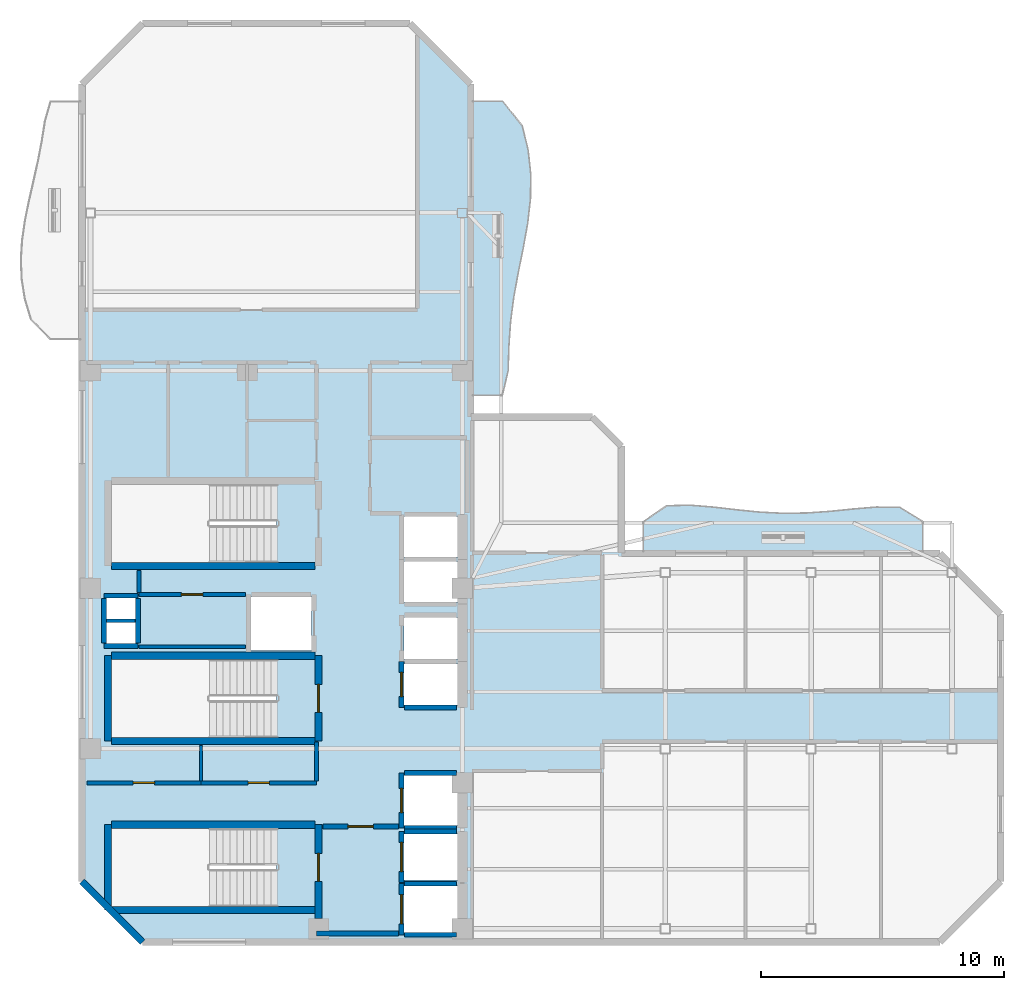
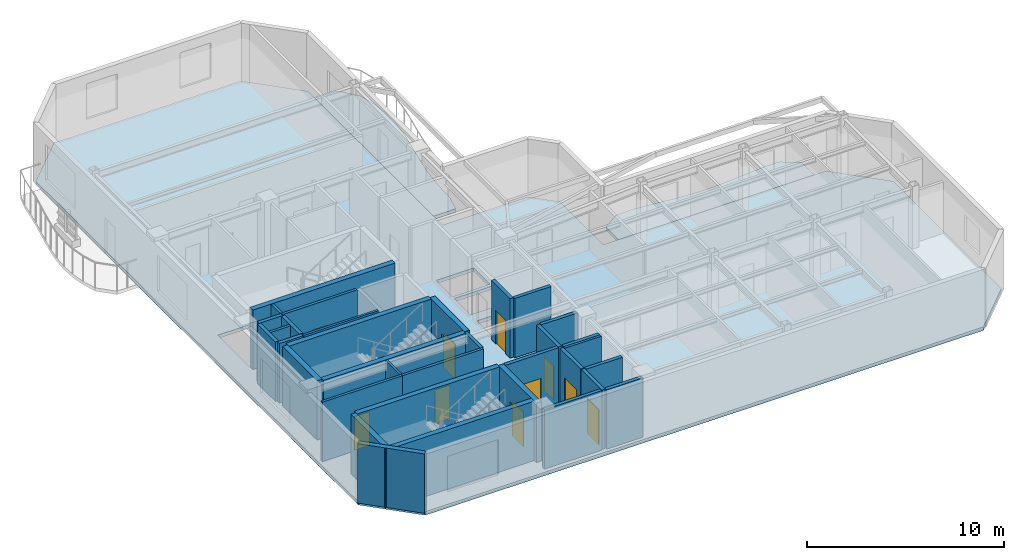
# One storey, part 2 of 7: 34 walls, 10 doors, 3 slabs, 10 openings.
"""IFC4 building model written with IfcOpenShell, lengths in metres."""

from ifc_helpers import new_model, si_unit, direction, frame, frame_2d, origin, place, context, subcontext, project, spatial, polyline, rectangle, outline, extrude, material, layer, layer_set, type_object, element, fill, save


model = new_model("IFC4")

# Units and contexts
model_context = context("Model", 3, precision=1e-05, world=origin(), true_north=direction((0.0, 1.0)))
body_context = subcontext(model_context, "Body", "Model", "MODEL_VIEW")
ifc_project = project(units=[si_unit("LENGTHUNIT", "METRE"), si_unit("AREAUNIT", "SQUARE_METRE"), si_unit("VOLUMEUNIT", "CUBIC_METRE"), si_unit("PLANEANGLEUNIT", "RADIAN"), si_unit("MASSUNIT", "GRAM", prefix="KILO")], contexts=[model_context])

# Site, building, storey
site_placement = place(None, origin())
site = spatial("IfcSite", under=ifc_project, at=site_placement, CompositionType="ELEMENT")
building_placement = place(site_placement, origin())
building = spatial("IfcBuilding", under=site, at=building_placement, Name="Mawjaban Terraces University", CompositionType="ELEMENT")
storey_placement = place(building_placement, frame((0.0, 0.0, 291.10009765625)))
storey = spatial("IfcBuildingStorey", under=building, at=storey_placement, Name="L71", CompositionType="ELEMENT", Elevation=291.10009765625)

# Slabs
ifc_material_1 = material(Name="Concrete C40/50", Category="concrete")
ifc_layer_1 = layer(ifc_material_1, 0.2099609375)
ifc_layer_set_1 = layer_set([ifc_layer_1], Name="Concrete C40/50")
slab_type_1 = type_object("IfcSlabType", Name="BalconySlab_210_Ext", PredefinedType="FLOOR", material=ifc_layer_set_1)
slab_1_placement = place(storey_placement, frame((0.0, 0.0, -0.210205078125)))
element("IfcSlab", 1, at=slab_1_placement, inside=storey, type_object=slab_type_1, Name="L71 Planted Balcony Slab inner_north", PredefinedType="FLOOR", context=body_context, shape_type="SweptSolid", body=[
    extrude(outline(polyline([(45.10009765625, 15.989990234375), (56.60009765625, 15.989990234375), (56.60009765625, 17.300048828125), (55.64208984375, 17.89208984375), (54.68310546875, 17.89697265625), (53.72509765625, 17.81689453125), (52.76708984375, 17.719970703125), (51.80810546875, 17.653076171875), (50.85009765625, 17.639892578125), (49.89208984375, 17.68896484375), (48.93310546875, 17.784912109375), (47.97509765625, 17.89599609375), (47.01708984375, 17.97509765625), (46.05810546875, 17.950927734375), (45.10009765625, 17.300048828125), (45.10009765625, 15.989990234375)])), origin(), (0.0, 0.0, 1.0), 0.210205078125),
])
slab_2_placement = place(storey_placement, frame((0.0, 0.0, -0.210205078125)))
element("IfcSlab", 2, at=slab_2_placement, inside=storey, type_object=slab_type_1, Name="L71 Planted Balcony Slab inner_east", PredefinedType="FLOOR", context=body_context, shape_type="SweptSolid", body=[
    extrude(outline(polyline([(39.300048828125, 22.5), (39.533935546875, 23.508056640625), (39.56494140625, 24.51708984375), (39.635009765625, 25.52490234375), (39.76611328125, 26.532958984375), (39.949951171875, 27.5419921875), (40.154052734375, 28.550048828125), (40.3359375, 29.55810546875), (40.451904296875, 30.56689453125), (40.467041015625, 31.574951171875), (40.35888671875, 32.5830078125), (40.113037109375, 33.592041015625), (39.300048828125, 34.60009765625), (37.989990234375, 34.60009765625), (37.989990234375, 22.5), (39.300048828125, 22.5)])), origin(), (0.0, 0.0, 1.0), 0.210205078125),
])
ifc_layer_2 = layer(ifc_material_1, 0.2099609375)
ifc_layer_set_2 = layer_set([ifc_layer_2], Name="Concrete C40/50")
slab_type_2 = type_object("IfcSlabType", Name="CompositeSlab_210", PredefinedType="FLOOR", material=ifc_layer_set_2)
slab_3_placement = place(storey_placement, frame((0.0, 0.0, -0.210205078125)))
element("IfcSlab", 3, at=slab_3_placement, inside=storey, type_object=slab_type_2, Name="L71 Primary Structural Slab", PredefinedType="FLOOR", context=body_context, shape_type="SweptSolid", body=[
    extrude(outline(polyline([(24.5, 0.0), (57.300048828125, 0.0), (59.800048828125, 2.5), (59.800048828125, 13.5), (57.300048828125, 16.0), (44.199951171875, 16.0), (44.199951171875, 20.39990234375), (43.0, 21.60009765625), (38.0, 21.60009765625), (38.0, 35.300048828125), (35.5, 37.800048828125), (24.5, 37.800048828125), (22.0, 35.300048828125), (22.0, 2.5), (24.5, 0.0)]), holes=[polyline([(30.014892578125, 4.699951171875), (23.199951171875, 4.699951171875), (23.199951171875, 1.449951171875), (30.014892578125, 1.449951171875), (30.014892578125, 4.699951171875)]), polyline([(30.014892578125, 18.85009765625), (23.199951171875, 18.85009765625), (23.199951171875, 15.60009765625), (30.014892578125, 15.60009765625), (30.014892578125, 18.85009765625)]), polyline([(30.014892578125, 11.64990234375), (23.199951171875, 11.64990234375), (23.199951171875, 8.39990234375), (30.014892578125, 8.39990234375), (30.014892578125, 11.64990234375)]), polyline([(35.25, 0.39990234375), (37.449951171875, 0.39990234375), (37.449951171875, 2.300048828125), (35.25, 2.300048828125), (35.25, 0.39990234375)]), polyline([(35.25, 2.550048828125), (37.449951171875, 2.550048828125), (37.449951171875, 4.449951171875), (35.25, 4.449951171875), (35.25, 2.550048828125)]), polyline([(35.25, 4.800048828125), (37.449951171875, 4.800048828125), (37.449951171875, 6.85009765625), (35.25, 6.85009765625), (35.25, 4.800048828125)]), polyline([(35.25, 9.75), (37.449951171875, 9.75), (37.449951171875, 11.449951171875), (35.25, 11.449951171875), (35.25, 9.75)]), polyline([(35.25, 11.64990234375), (37.449951171875, 11.64990234375), (37.449951171875, 13.35009765625), (35.25, 13.35009765625), (35.25, 11.64990234375)]), polyline([(28.949951171875, 12.0), (31.449951171875, 12.0), (31.449951171875, 14.199951171875), (28.949951171875, 14.199951171875), (28.949951171875, 12.0)]), polyline([(35.25, 14.0), (37.449951171875, 14.0), (37.449951171875, 15.64990234375), (35.25, 15.64990234375), (35.25, 14.0)]), polyline([(35.25, 15.85009765625), (37.449951171875, 15.85009765625), (37.449951171875, 17.5), (35.25, 17.5), (35.25, 15.85009765625)]), polyline([(23.0, 12.25), (24.199951171875, 12.25), (24.199951171875, 13.14990234375), (23.0, 13.14990234375), (23.0, 12.25)]), polyline([(23.0, 13.300048828125), (24.199951171875, 13.300048828125), (24.199951171875, 14.179931640625), (23.0, 14.179931640625), (23.0, 13.300048828125)])]), origin(), (0.0, 0.0, 1.0), 0.210205078125),
])

# Wall, opening, door
ifc_material_2 = material(Name="Fire-rated gypsum board on steel stud", Category="steel")
ifc_layer_3 = layer(ifc_material_2, 0.159912109375)
ifc_layer_set_3 = layer_set([ifc_layer_3], Name="Fire-rated gypsum board on steel stud")
wall_type_1 = type_object("IfcWallType", Name="CorridorPartition_160", PredefinedType="PARTITIONING", material=ifc_layer_set_3)
wall_1_placement = place(storey_placement, frame((24.35009765625, 14.300048828125, 0.0), z_axis=(0.0, 0.0, 1.0), x_axis=(1.0, 0.0, 0.0)))
wall_1 = element("IfcWall", 4, at=wall_1_placement, inside=storey, type_object=wall_type_1, Name="L71 Core Riser Access Passage Partition 2", PredefinedType="PARTITIONING", context=body_context, shape_type="SweptSolid", body=[
    extrude(rectangle(XDim=4.369873046875, YDim=0.159912109375, at=frame_2d((2.18505859375, 0.0))), origin(), (0.0, 0.0, 1.0), 3.68994140625),
])
opening_1_placement = place(wall_1_placement, frame((1.7451171875, 0.0, 0.0)))
opening_1 = element("IfcOpeningElement", 5, at=opening_1_placement, cuts=wall_1, Name="Opening ID-088", PredefinedType="OPENING", context=body_context, shape_type="SweptSolid", body=[
    extrude(rectangle(XDim=0.8798828125, YDim=2.10009765625, at=frame_2d((0.43994140625, 1.050048828125))), frame((0.0, 0.08984375, 0.0), z_axis=(0.0, -1.0, 0.0), x_axis=(1.0, 0.0, 0.0)), (0.0, 0.0, 1.0), 0.179931640625),
])
ifc_material_3 = material(Name="Powder-coated steel frame and solid acoustic timber leaf", Category="steel")
door_type_1 = type_object("IfcDoorType", Name="ToiletDoor_880x2100", OperationType="NOTDEFINED", PredefinedType="DOOR", material=ifc_material_3)
door_1_placement = place(opening_1_placement, origin())
door_1 = element("IfcDoor", 6, at=door_1_placement, inside=storey, type_object=door_type_1, Name="L71 Ablution Room Door", OperationType="SINGLE_SWING_RIGHT", OverallHeight=2.10009765625, OverallWidth=0.8798828125, PredefinedType="DOOR", context=body_context, shape_type="SweptSolid", body=[
    extrude(rectangle(XDim=0.8798828125, YDim=2.10009765625, at=frame_2d((0.43994140625, 1.050048828125))), frame((0.0, 0.02490234375, 0.0), z_axis=(0.0, -1.0, 0.0), x_axis=(1.0, 0.0, 0.0)), (0.0, 0.0, 1.0), 0.050048828125),
])
fill(opening_1, door_1)

wall_2_placement = place(storey_placement, frame((26.89990234375, 6.550048828125, 0.0), z_axis=(0.0, 0.0, 1.0), x_axis=(-1.0, 0.0, 0.0)))
wall_2 = element("IfcWall", 7, at=wall_2_placement, inside=storey, type_object=wall_type_1, Name="L71 Core Washroom Lobby Partition 4", PredefinedType="PARTITIONING", context=body_context, shape_type="SweptSolid", body=[
    extrude(rectangle(XDim=4.699951171875, YDim=0.159912109375, at=frame_2d((2.35009765625, 0.0))), origin(), (0.0, 0.0, 1.0), 3.68994140625),
])
opening_2_placement = place(wall_2_placement, frame((1.909912109375, 0.0, 0.0)))
opening_2 = element("IfcOpeningElement", 8, at=opening_2_placement, cuts=wall_2, Name="Opening ID-088", PredefinedType="OPENING", context=body_context, shape_type="SweptSolid", body=[
    extrude(rectangle(XDim=0.8798828125, YDim=2.10009765625, at=frame_2d((0.43994140625, 1.050048828125))), frame((0.0, 0.08984375, 0.0), z_axis=(0.0, -1.0, 0.0), x_axis=(1.0, 0.0, 0.0)), (0.0, 0.0, 1.0), 0.179931640625),
])
door_2_placement = place(opening_2_placement, origin())
door_2 = element("IfcDoor", 9, at=door_2_placement, inside=storey, type_object=door_type_1, Name="L71 Male Toilet Door", OperationType="SINGLE_SWING_RIGHT", OverallHeight=2.10009765625, OverallWidth=0.8798828125, PredefinedType="DOOR", context=body_context, shape_type="SweptSolid", body=[
    extrude(rectangle(XDim=0.8798828125, YDim=2.10009765625, at=frame_2d((0.43994140625, 1.050048828125))), frame((0.0, 0.02490234375, 0.0), z_axis=(0.0, -1.0, 0.0), x_axis=(1.0, 0.0, 0.0)), (0.0, 0.0, 1.0), 0.050048828125),
])
fill(opening_2, door_2)

wall_3_placement = place(storey_placement, frame((31.64990234375, 6.550048828125, 0.0), z_axis=(0.0, 0.0, 1.0), x_axis=(-1.0, 0.0, 0.0)))
wall_3 = element("IfcWall", 10, at=wall_3_placement, inside=storey, type_object=wall_type_1, Name="L71 Core Washroom Lobby Partition 7", PredefinedType="PARTITIONING", context=body_context, shape_type="SweptSolid", body=[
    extrude(rectangle(XDim=4.75, YDim=0.159912109375, at=frame_2d((2.375, 0.0))), origin(), (0.0, 0.0, 1.0), 3.68994140625),
])
opening_3_placement = place(wall_3_placement, frame((1.93505859375, 0.0, 0.0)))
opening_3 = element("IfcOpeningElement", 11, at=opening_3_placement, cuts=wall_3, Name="Opening ID-088", PredefinedType="OPENING", context=body_context, shape_type="SweptSolid", body=[
    extrude(rectangle(XDim=0.8798828125, YDim=2.10009765625, at=frame_2d((0.43994140625, 1.050048828125))), frame((0.0, 0.08984375, 0.0), z_axis=(0.0, -1.0, 0.0), x_axis=(1.0, 0.0, 0.0)), (0.0, 0.0, 1.0), 0.179931640625),
])
door_3_placement = place(opening_3_placement, origin())
door_3 = element("IfcDoor", 12, at=door_3_placement, inside=storey, type_object=door_type_1, Name="L71 Accessible Toilet Door", OperationType="SINGLE_SWING_LEFT", OverallHeight=2.10009765625, OverallWidth=0.8798828125, PredefinedType="DOOR", context=body_context, shape_type="SweptSolid", body=[
    extrude(rectangle(XDim=0.8798828125, YDim=2.10009765625, at=frame_2d((0.43994140625, 1.050048828125))), frame((0.0, 0.02490234375, 0.0), z_axis=(0.0, -1.0, 0.0), x_axis=(1.0, 0.0, 0.0)), (0.0, 0.0, 1.0), 0.050048828125),
])
fill(opening_3, door_3)

# Walls
wall_4_placement = place(storey_placement, frame((24.35009765625, 15.2900390625, 0.0), z_axis=(0.0, 0.0, 1.0), x_axis=(0.0, -1.0, 0.0)))
element("IfcWall", 13, at=wall_4_placement, inside=storey, type_object=wall_type_1, Name="L71 Core Riser Access Passage Partition 23", PredefinedType="PARTITIONING", context=body_context, shape_type="SweptSolid", body=[
    extrude(rectangle(XDim=0.9150390625, YDim=0.159912109375, at=frame_2d((0.45751953125, 0.0))), origin(), (0.0, 0.0, 1.0), 3.68994140625),
])
wall_5_placement = place(storey_placement, frame((31.64990234375, 8.239990234375, 0.0), z_axis=(0.0, 0.0, 1.0), x_axis=(0.0, -1.0, 0.0)))
element("IfcWall", 14, at=wall_5_placement, inside=storey, type_object=wall_type_1, Name="L71 High-Rise Lift Lobby Partition 28", PredefinedType="PARTITIONING", context=body_context, shape_type="SweptSolid", body=[
    extrude(rectangle(XDim=1.614990234375, YDim=0.159912109375, at=frame_2d((0.8076171875, 0.0))), origin(), (0.0, 0.0, 1.0), 3.68994140625),
])
ifc_material_4 = material(Name="Insulated terracotta rainscreen on concrete backup C40/50", Category="masonry")
ifc_layer_4 = layer(ifc_material_4, 0.27490234375)
ifc_layer_set_4 = layer_set([ifc_layer_4], Name="Insulated terracotta rainscreen on concrete backup C40/50")
wall_type_2 = type_object("IfcWallType", Name="ExtTerracottaWall_275", PredefinedType="SOLIDWALL", material=ifc_layer_set_4)
wall_6_placement = place(storey_placement, frame((22.0, 2.5, 0.0), z_axis=(0.0, 0.0, 1.0), x_axis=(0.707106781187, -0.707106781187, 0.0)))
element("IfcWall", 15, at=wall_6_placement, inside=storey, type_object=wall_type_2, Name="L71 Exterior Terracotta Wall 14", PredefinedType="SOLIDWALL", context=body_context, shape_type="SweptSolid", body=[
    extrude(rectangle(XDim=3.53564453125, YDim=0.27490234375, at=frame_2d((1.767822265625, 0.0))), origin(), (0.0, 0.0, 1.0), 3.68994140625),
])

# Wall, opening, door
ifc_layer_5 = layer(ifc_material_1, 0.199951171875)
ifc_layer_set_5 = layer_set([ifc_layer_5], Name="Concrete C40/50")
wall_type_3 = type_object("IfcWallType", Name="FireLobbyWall_200", PredefinedType="SOLIDWALL", material=ifc_layer_set_5)
wall_7_placement = place(storey_placement, frame((35.14990234375, 2.39990234375, 0.0), z_axis=(0.0, 0.0, 1.0), x_axis=(0.0, -1.0, 0.0)))
wall_7 = element("IfcWall", 16, at=wall_7_placement, inside=storey, type_object=wall_type_3, Name="L71 Lift FL-1 Hoistway Wall West", PredefinedType="SOLIDWALL", context=body_context, shape_type="SweptSolid", body=[
    extrude(rectangle(XDim=2.099853515625, YDim=0.199951171875, at=frame_2d((1.0498046875, 0.0))), origin(), (0.0, 0.0, 1.0), 3.68994140625),
])
opening_4_placement = place(wall_7_placement, frame((0.449951171875, 0.0, 0.0)))
opening_4 = element("IfcOpeningElement", 17, at=opening_4_placement, cuts=wall_7, Name="Opening LD-FL-1", PredefinedType="OPENING", context=body_context, shape_type="SweptSolid", body=[
    extrude(rectangle(XDim=1.199951171875, YDim=2.14990234375, at=frame_2d((0.60009765625, 1.074951171875))), frame((0.0, 0.10986328125, 0.0), z_axis=(0.0, -1.0, 0.0), x_axis=(1.0, 0.0, 0.0)), (0.0, 0.0, 1.0), 0.219970703125),
])
ifc_material_5 = material(Name="Powder-coated steel frame and fire-rated steel-faced leaf", Category="steel")
door_type_2 = type_object("IfcDoorType", Name="LiftLandingFSAE_1200x2150", OperationType="NOTDEFINED", PredefinedType="DOOR", material=ifc_material_5)
door_4_placement = place(opening_4_placement, origin())
door_4 = element("IfcDoor", 18, at=door_4_placement, inside=storey, type_object=door_type_2, Name="L71 Lift FL-1 Sliding Landing Door", OperationType="DOUBLE_DOOR_SLIDING", OverallHeight=2.14990234375, OverallWidth=1.199951171875, PredefinedType="DOOR", context=body_context, shape_type="SweptSolid", body=[
    extrude(rectangle(XDim=1.199951171875, YDim=2.14990234375, at=frame_2d((0.60009765625, 1.074951171875))), frame((0.0, 0.02490234375, 0.0), z_axis=(0.0, -1.0, 0.0), x_axis=(1.0, 0.0, 0.0)), (0.0, 0.0, 1.0), 0.050048828125),
])
fill(opening_4, door_4)

# Walls
for number, where, z_axis, x_axis, name in (
    (19, (35.280029296875, 0.300048828125, 0.0), (0.0, 0.0, 1.0), (1.0, 0.0, 0.0), "L71 Lift FL-1 Hoistway Wall South"),
    (20, (37.419921875, 2.39990234375, 0.0), (0.0, 0.0, 1.0), (-1.0, 0.0, 0.0), "L71 Lift FL-1 Hoistway Wall North"),
):
    element("IfcWall", number, at=place(storey_placement, frame(where, z_axis=z_axis, x_axis=x_axis)), inside=storey, type_object=wall_type_3, Name=name, PredefinedType="SOLIDWALL", context=body_context, shape_type="SweptSolid", body=[
        extrude(rectangle(XDim=2.139892578125, YDim=0.199951171875, at=frame_2d((1.06982421875, 0.0))), origin(), (0.0, 0.0, 1.0), 3.68994140625),
    ])

# Wall, opening, door
wall_8_placement = place(storey_placement, frame((35.14990234375, 4.550048828125, 0.0), z_axis=(0.0, 0.0, 1.0), x_axis=(0.0, -1.0, 0.0)))
wall_8 = element("IfcWall", 21, at=wall_8_placement, inside=storey, type_object=wall_type_3, Name="L71 Lift FL-2 Hoistway Wall West", PredefinedType="SOLIDWALL", context=body_context, shape_type="SweptSolid", body=[
    extrude(rectangle(XDim=2.10009765625, YDim=0.199951171875, at=frame_2d((1.050048828125, 0.0))), origin(), (0.0, 0.0, 1.0), 3.68994140625),
])
opening_5_placement = place(wall_8_placement, frame((0.449951171875, 0.0, 0.0)))
opening_5 = element("IfcOpeningElement", 22, at=opening_5_placement, cuts=wall_8, Name="Opening LD-FL-2", PredefinedType="OPENING", context=body_context, shape_type="SweptSolid", body=[
    extrude(rectangle(XDim=1.199951171875, YDim=2.14990234375, at=frame_2d((0.60009765625, 1.074951171875))), frame((0.0, 0.10986328125, 0.0), z_axis=(0.0, -1.0, 0.0), x_axis=(1.0, 0.0, 0.0)), (0.0, 0.0, 1.0), 0.219970703125),
])
door_5_placement = place(opening_5_placement, origin())
door_5 = element("IfcDoor", 23, at=door_5_placement, inside=storey, type_object=door_type_2, Name="L71 Lift FL-2 Sliding Landing Door", OperationType="DOUBLE_DOOR_SLIDING", OverallHeight=2.14990234375, OverallWidth=1.199951171875, PredefinedType="DOOR", context=body_context, shape_type="SweptSolid", body=[
    extrude(rectangle(XDim=1.199951171875, YDim=2.14990234375, at=frame_2d((0.60009765625, 1.074951171875))), frame((0.0, 0.02490234375, 0.0), z_axis=(0.0, -1.0, 0.0), x_axis=(1.0, 0.0, 0.0)), (0.0, 0.0, 1.0), 0.050048828125),
])
fill(opening_5, door_5)

# Wall
wall_9_placement = place(storey_placement, frame((37.419921875, 4.550048828125, 0.0), z_axis=(0.0, 0.0, 1.0), x_axis=(-1.0, 0.0, 0.0)))
element("IfcWall", 24, at=wall_9_placement, inside=storey, type_object=wall_type_3, Name="L71 Lift FL-2 Hoistway Wall North", PredefinedType="SOLIDWALL", context=body_context, shape_type="SweptSolid", body=[
    extrude(rectangle(XDim=2.139892578125, YDim=0.199951171875, at=frame_2d((1.06982421875, 0.0))), origin(), (0.0, 0.0, 1.0), 3.68994140625),
])

# Wall, opening, door
wall_10_placement = place(storey_placement, frame((35.14990234375, 6.949951171875, 0.0), z_axis=(0.0, 0.0, 1.0), x_axis=(0.0, -1.0, 0.0)))
wall_10 = element("IfcWall", 25, at=wall_10_placement, inside=storey, type_object=wall_type_3, Name="L71 Lift SL-1 Hoistway Wall West", PredefinedType="SOLIDWALL", context=body_context, shape_type="SweptSolid", body=[
    extrude(rectangle(XDim=2.25, YDim=0.199951171875, at=frame_2d((1.125, 0.0))), origin(), (0.0, 0.0, 1.0), 3.68994140625),
])
opening_6_placement = place(wall_10_placement, frame((0.625, 0.0, 0.0)))
opening_6 = element("IfcOpeningElement", 26, at=opening_6_placement, cuts=wall_10, Name="Opening LD-SL-1", PredefinedType="OPENING", context=body_context, shape_type="SweptSolid", body=[
    extrude(rectangle(XDim=1.0, YDim=2.10009765625, at=frame_2d((0.5, 1.050048828125))), frame((0.0, 0.10986328125, 0.0), z_axis=(0.0, -1.0, 0.0), x_axis=(1.0, 0.0, 0.0)), (0.0, 0.0, 1.0), 0.219970703125),
])
door_type_3 = type_object("IfcDoorType", Name="LiftLandingSliding_1000x2100", OperationType="NOTDEFINED", PredefinedType="DOOR", material=ifc_material_5)
door_6_placement = place(opening_6_placement, origin())
door_6 = element("IfcDoor", 27, at=door_6_placement, inside=storey, type_object=door_type_3, Name="L71 Lift SL-1 Sliding Landing Door", OperationType="DOUBLE_DOOR_SLIDING", OverallHeight=2.10009765625, OverallWidth=1.0, PredefinedType="DOOR", context=body_context, shape_type="SweptSolid", body=[
    extrude(rectangle(XDim=1.0, YDim=2.10009765625, at=frame_2d((0.5, 1.050048828125))), frame((0.0, 0.02490234375, 0.0), z_axis=(0.0, -1.0, 0.0), x_axis=(1.0, 0.0, 0.0)), (0.0, 0.0, 1.0), 0.050048828125),
])
fill(opening_6, door_6)

# Walls
for number, where, z_axis, x_axis, name in (
    (28, (35.280029296875, 4.699951171875, 0.0), (0.0, 0.0, 1.0), (1.0, 0.0, 0.0), "L71 Lift SL-1 Hoistway Wall South"),
    (29, (37.419921875, 6.949951171875, 0.0), (0.0, 0.0, 1.0), (-1.0, 0.0, 0.0), "L71 Lift SL-1 Hoistway Wall North"),
):
    element("IfcWall", number, at=place(storey_placement, frame(where, z_axis=z_axis, x_axis=x_axis)), inside=storey, type_object=wall_type_3, Name=name, PredefinedType="SOLIDWALL", context=body_context, shape_type="SweptSolid", body=[
        extrude(rectangle(XDim=2.139892578125, YDim=0.199951171875, at=frame_2d((1.06982421875, 0.0))), origin(), (0.0, 0.0, 1.0), 3.68994140625),
    ])

# Wall, opening, door
wall_11_placement = place(storey_placement, frame((35.14990234375, 11.550048828125, 0.0), z_axis=(0.0, 0.0, 1.0), x_axis=(0.0, -1.0, 0.0)))
wall_11 = element("IfcWall", 30, at=wall_11_placement, inside=storey, type_object=wall_type_3, Name="L71 Lift PL-H1 Hoistway Wall West", PredefinedType="SOLIDWALL", context=body_context, shape_type="SweptSolid", body=[
    extrude(rectangle(XDim=1.900146484375, YDim=0.199951171875, at=frame_2d((0.9501953125, 0.0))), origin(), (0.0, 0.0, 1.0), 3.68994140625),
])
opening_7_placement = place(wall_11_placement, frame((0.449951171875, 0.0, 0.0)))
opening_7 = element("IfcOpeningElement", 31, at=opening_7_placement, cuts=wall_11, Name="Opening LD-PL-H1", PredefinedType="OPENING", context=body_context, shape_type="SweptSolid", body=[
    extrude(rectangle(XDim=1.0, YDim=2.10009765625, at=frame_2d((0.5, 1.050048828125))), frame((0.0, 0.10986328125, 0.0), z_axis=(0.0, -1.0, 0.0), x_axis=(1.0, 0.0, 0.0)), (0.0, 0.0, 1.0), 0.219970703125),
])
door_7_placement = place(opening_7_placement, origin())
door_7 = element("IfcDoor", 32, at=door_7_placement, inside=storey, type_object=door_type_3, Name="L71 Lift PL-H1 Sliding Landing Door", OperationType="DOUBLE_DOOR_SLIDING", OverallHeight=2.10009765625, OverallWidth=1.0, PredefinedType="DOOR", context=body_context, shape_type="SweptSolid", body=[
    extrude(rectangle(XDim=1.0, YDim=2.10009765625, at=frame_2d((0.5, 1.050048828125))), frame((0.0, 0.02490234375, 0.0), z_axis=(0.0, -1.0, 0.0), x_axis=(1.0, 0.0, 0.0)), (0.0, 0.0, 1.0), 0.050048828125),
])
fill(opening_7, door_7)

# Walls
wall_12_placement = place(storey_placement, frame((35.280029296875, 9.64990234375, 0.0), z_axis=(0.0, 0.0, 1.0), x_axis=(1.0, 0.0, 0.0)))
element("IfcWall", 33, at=wall_12_placement, inside=storey, type_object=wall_type_3, Name="L71 Lift PL-H1 Hoistway Wall South", PredefinedType="SOLIDWALL", context=body_context, shape_type="SweptSolid", body=[
    extrude(rectangle(XDim=2.139892578125, YDim=0.199951171875, at=frame_2d((1.06982421875, 0.0))), origin(), (0.0, 0.0, 1.0), 3.68994140625),
])
for number, where, z_axis, x_axis, name in (
    (34, (22.89990234375, 14.25, 0.0), (0.0, 0.0, 1.0), (1.0, 0.0, 0.0), "L71 MEP Riser Shaft Wall N"),
    (35, (22.89990234375, 12.179931640625, 0.0), (0.0, 0.0, 1.0), (1.0, 0.0, 0.0), "L71 MEP Riser Shaft Wall S"),
):
    element("IfcWall", number, at=place(storey_placement, frame(where, z_axis=z_axis, x_axis=x_axis)), inside=storey, type_object=wall_type_3, Name=name, PredefinedType="SOLIDWALL", context=body_context, shape_type="SweptSolid", body=[
        extrude(rectangle(XDim=1.400146484375, YDim=0.199951171875, at=frame_2d((0.7001953125, 0.0))), origin(), (0.0, 0.0, 1.0), 3.68994140625),
    ])
for number, where, z_axis, x_axis, name in (
    (36, (24.300048828125, 12.300048828125, 0.0), (0.0, 0.0, 1.0), (0.0, 1.0, 0.0), "L71 MEP Riser Shaft Wall E"),
    (37, (22.89990234375, 12.300048828125, 0.0), (0.0, 0.0, 1.0), (0.0, 1.0, 0.0), "L71 MEP Riser Shaft Wall W"),
):
    element("IfcWall", number, at=place(storey_placement, frame(where, z_axis=z_axis, x_axis=x_axis)), inside=storey, type_object=wall_type_3, Name=name, PredefinedType="SOLIDWALL", context=body_context, shape_type="SweptSolid", body=[
        extrude(rectangle(XDim=1.829833984375, YDim=0.199951171875, at=frame_2d((0.9150390625, 0.0))), origin(), (0.0, 0.0, 1.0), 3.68994140625),
    ])
wall_13_placement = place(storey_placement, frame((31.64990234375, 0.35009765625, 0.0), z_axis=(0.0, 0.0, 1.0), x_axis=(1.0, 0.0, 0.0)))
element("IfcWall", 38, at=wall_13_placement, inside=storey, type_object=wall_type_3, Name="L71 Firefighting Lift Lobby Partition 6", PredefinedType="SOLIDWALL", context=body_context, shape_type="SweptSolid", body=[
    extrude(rectangle(XDim=3.3701171875, YDim=0.199951171875, at=frame_2d((1.68505859375, 0.0))), origin(), (0.0, 0.0, 1.0), 3.68994140625),
])

# Wall, opening, door
wall_14_placement = place(storey_placement, frame((35.02001953125, 4.75, 0.0), z_axis=(0.0, 0.0, 1.0), x_axis=(-1.0, 0.0, 0.0)))
wall_14 = element("IfcWall", 39, at=wall_14_placement, inside=storey, type_object=wall_type_3, Name="L71 Firefighting Lift Lobby Partition 11", PredefinedType="SOLIDWALL", context=body_context, shape_type="SweptSolid", body=[
    extrude(rectangle(XDim=3.110107421875, YDim=0.199951171875, at=frame_2d((1.55517578125, 0.0))), origin(), (0.0, 0.0, 1.0), 3.68994140625),
])
opening_8_placement = place(wall_14_placement, frame((1.030029296875, 0.0, 0.0)))
opening_8 = element("IfcOpeningElement", 40, at=opening_8_placement, cuts=wall_14, Name="Opening FD-105", PredefinedType="OPENING", context=body_context, shape_type="SweptSolid", body=[
    extrude(rectangle(XDim=1.050048828125, YDim=2.14990234375, at=frame_2d((0.52490234375, 1.074951171875))), frame((0.0, 0.10986328125, 0.0), z_axis=(0.0, -1.0, 0.0), x_axis=(1.0, 0.0, 0.0)), (0.0, 0.0, 1.0), 0.219970703125),
])
door_type_4 = type_object("IfcDoorType", Name="FireLobbyDoor_1050x2150", OperationType="NOTDEFINED", PredefinedType="DOOR", material=ifc_material_5)
door_8_placement = place(opening_8_placement, origin())
door_8 = element("IfcDoor", 41, at=door_8_placement, inside=storey, type_object=door_type_4, Name="L71 Firefighting Lift Lobby Door", OperationType="SINGLE_SWING_LEFT", OverallHeight=2.14990234375, OverallWidth=1.050048828125, PredefinedType="DOOR", context=body_context, shape_type="SweptSolid", body=[
    extrude(rectangle(XDim=1.050048828125, YDim=2.14990234375, at=frame_2d((0.52490234375, 1.074951171875))), frame((0.0, 0.02490234375, 0.0), z_axis=(0.0, -1.0, 0.0), x_axis=(1.0, 0.0, 0.0)), (0.0, 0.0, 1.0), 0.050048828125),
])
fill(opening_8, door_8)

# Walls
ifc_material_6 = material(Name="Moisture-resistant gypsum board on steel stud", Category="steel")
ifc_layer_6 = layer(ifc_material_6, 0.14501953125)
ifc_layer_set_6 = layer_set([ifc_layer_6], Name="Moisture-resistant gypsum board on steel stud")
wall_type_4 = type_object("IfcWallType", Name="LabPartition_145", PredefinedType="PARTITIONING", material=ifc_layer_set_6)
wall_15_placement = place(storey_placement, frame((23.010009765625, 13.22509765625, 0.0), z_axis=(0.0, 0.0, 1.0), x_axis=(1.0, 0.0, 0.0)))
element("IfcWall", 42, at=wall_15_placement, inside=storey, type_object=wall_type_4, Name="L71 MEP Riser Shaft Wall M", PredefinedType="PARTITIONING", context=body_context, shape_type="SweptSolid", body=[
    extrude(rectangle(XDim=1.179931640625, YDim=0.14501953125, at=frame_2d((0.58984375, 0.0))), origin(), (0.0, 0.0, 1.0), 3.68994140625),
])
ifc_material_7 = material(Name="Concrete C60/75", Category="concrete")
ifc_layer_7 = layer(ifc_material_7, 0.300048828125)
ifc_layer_set_7 = layer_set([ifc_layer_7], Name="Concrete C60/75")
wall_type_5 = type_object("IfcWallType", Name="StairShaftWall_300", PredefinedType="SHEAR", material=ifc_layer_set_7)
wall_16_placement = place(storey_placement, frame((31.580078125, 4.830078125, 0.0), z_axis=(0.0, 0.0, 1.0), x_axis=(-1.0, 0.0, 0.0)))
element("IfcWall", 43, at=wall_16_placement, inside=storey, type_object=wall_type_5, Name="L71 ST-1 Stair Shaft Wall 1", PredefinedType="SHEAR", context=body_context, shape_type="SweptSolid", body=[
    extrude(rectangle(XDim=8.360107421875, YDim=0.300048828125, at=frame_2d((4.18017578125, 0.0))), origin(), (0.0, 0.0, 1.0), 3.68994140625),
])
wall_17_placement = place(storey_placement, frame((23.070068359375, 4.830078125, 0.0), z_axis=(0.0, 0.0, 1.0), x_axis=(0.0, -1.0, 0.0)))
element("IfcWall", 44, at=wall_17_placement, inside=storey, type_object=wall_type_5, Name="L71 ST-1 Stair Shaft Wall 2", PredefinedType="SHEAR", context=body_context, shape_type="SweptSolid", body=[
    extrude(rectangle(XDim=3.510009765625, YDim=0.300048828125, at=frame_2d((1.7548828125, 0.0))), origin(), (0.0, 0.0, 1.0), 3.68994140625),
])
wall_18_placement = place(storey_placement, frame((23.219970703125, 1.320068359375, 0.0), z_axis=(0.0, 0.0, 1.0), x_axis=(1.0, 0.0, 0.0)))
element("IfcWall", 45, at=wall_18_placement, inside=storey, type_object=wall_type_5, Name="L71 ST-1 Stair Shaft Wall 3", PredefinedType="SHEAR", context=body_context, shape_type="SweptSolid", body=[
    extrude(rectangle(XDim=8.360107421875, YDim=0.300048828125, at=frame_2d((4.18017578125, 0.0))), origin(), (0.0, 0.0, 1.0), 3.68994140625),
])

# Wall, opening, door
wall_19_placement = place(storey_placement, frame((31.72998046875, 0.9599609375, 0.0), z_axis=(0.0, 0.0, 1.0), x_axis=(0.0, 1.0, 0.0)))
wall_19 = element("IfcWall", 46, at=wall_19_placement, inside=storey, type_object=wall_type_5, Name="L71 ST-1 Stair Shaft Wall 4", PredefinedType="SHEAR", context=body_context, shape_type="SweptSolid", body=[
    extrude(rectangle(XDim=3.8701171875, YDim=0.300048828125, at=frame_2d((1.93505859375, 0.0))), origin(), (0.0, 0.0, 1.0), 3.68994140625),
])
opening_9_placement = place(wall_19_placement, frame((1.5400390625, 0.0, 0.0)))
opening_9 = element("IfcOpeningElement", 47, at=opening_9_placement, cuts=wall_19, Name="Opening FD-115", PredefinedType="OPENING", context=body_context, shape_type="SweptSolid", body=[
    extrude(rectangle(XDim=1.14990234375, YDim=2.14990234375, at=frame_2d((0.574951171875, 1.074951171875))), frame((0.0, 0.159912109375, 0.0), z_axis=(0.0, -1.0, 0.0), x_axis=(1.0, 0.0, 0.0)), (0.0, 0.0, 1.0), 0.320068359375),
])
door_type_5 = type_object("IfcDoorType", Name="FireStairDoor_1150x2150", OperationType="NOTDEFINED", PredefinedType="DOOR", material=ifc_material_5)
door_9_placement = place(opening_9_placement, origin())
door_9 = element("IfcDoor", 48, at=door_9_placement, inside=storey, type_object=door_type_5, Name="L71 ST-1 Pressurised Stair Fire Door", OperationType="SINGLE_SWING_RIGHT", OverallHeight=2.14990234375, OverallWidth=1.14990234375, PredefinedType="DOOR", context=body_context, shape_type="SweptSolid", body=[
    extrude(rectangle(XDim=1.14990234375, YDim=2.14990234375, at=frame_2d((0.574951171875, 1.074951171875))), frame((0.0, 0.02490234375, 0.0), z_axis=(0.0, -1.0, 0.0), x_axis=(1.0, 0.0, 0.0)), (0.0, 0.0, 1.0), 0.050048828125),
])
fill(opening_9, door_9)

# Walls
for number, where, z_axis, x_axis, name in (
    (49, (23.219970703125, 15.469970703125, 0.0), (0.0, 0.0, 1.0), (1.0, 0.0, 0.0), "L71 ST-2 Stair Shaft Wall 3"),
    (50, (31.580078125, 11.780029296875, 0.0), (0.0, 0.0, 1.0), (-1.0, 0.0, 0.0), "L71 ST-3 Stair Shaft Wall 1"),
):
    element("IfcWall", number, at=place(storey_placement, frame(where, z_axis=z_axis, x_axis=x_axis)), inside=storey, type_object=wall_type_5, Name=name, PredefinedType="SHEAR", context=body_context, shape_type="SweptSolid", body=[
        extrude(rectangle(XDim=8.360107421875, YDim=0.300048828125, at=frame_2d((4.18017578125, 0.0))), origin(), (0.0, 0.0, 1.0), 3.68994140625),
    ])
wall_20_placement = place(storey_placement, frame((23.070068359375, 11.780029296875, 0.0), z_axis=(0.0, 0.0, 1.0), x_axis=(0.0, -1.0, 0.0)))
element("IfcWall", 51, at=wall_20_placement, inside=storey, type_object=wall_type_5, Name="L71 ST-3 Stair Shaft Wall 2", PredefinedType="SHEAR", context=body_context, shape_type="SweptSolid", body=[
    extrude(rectangle(XDim=3.510009765625, YDim=0.300048828125, at=frame_2d((1.7548828125, 0.0))), origin(), (0.0, 0.0, 1.0), 3.68994140625),
])
wall_21_placement = place(storey_placement, frame((23.219970703125, 8.27001953125, 0.0), z_axis=(0.0, 0.0, 1.0), x_axis=(1.0, 0.0, 0.0)))
element("IfcWall", 52, at=wall_21_placement, inside=storey, type_object=wall_type_5, Name="L71 ST-3 Stair Shaft Wall 3", PredefinedType="SHEAR", context=body_context, shape_type="SweptSolid", body=[
    extrude(rectangle(XDim=8.360107421875, YDim=0.300048828125, at=frame_2d((4.18017578125, 0.0))), origin(), (0.0, 0.0, 1.0), 3.68994140625),
])

# Wall, opening, door
wall_22_placement = place(storey_placement, frame((31.72998046875, 8.27001953125, 0.0), z_axis=(0.0, 0.0, 1.0), x_axis=(0.0, 1.0, 0.0)))
wall_22 = element("IfcWall", 53, at=wall_22_placement, inside=storey, type_object=wall_type_5, Name="L71 ST-3 Stair Shaft Wall 4", PredefinedType="SHEAR", context=body_context, shape_type="SweptSolid", body=[
    extrude(rectangle(XDim=3.510009765625, YDim=0.300048828125, at=frame_2d((1.7548828125, 0.0))), origin(), (0.0, 0.0, 1.0), 3.68994140625),
])
opening_10_placement = place(wall_22_placement, frame((1.179931640625, 0.0, 0.0)))
opening_10 = element("IfcOpeningElement", 54, at=opening_10_placement, cuts=wall_22, Name="Opening FD-115", PredefinedType="OPENING", context=body_context, shape_type="SweptSolid", body=[
    extrude(rectangle(XDim=1.14990234375, YDim=2.14990234375, at=frame_2d((0.574951171875, 1.074951171875))), frame((0.0, 0.159912109375, 0.0), z_axis=(0.0, -1.0, 0.0), x_axis=(1.0, 0.0, 0.0)), (0.0, 0.0, 1.0), 0.320068359375),
])
door_10_placement = place(opening_10_placement, origin())
door_10 = element("IfcDoor", 55, at=door_10_placement, inside=storey, type_object=door_type_5, Name="L71 ST-3 Pressurised Stair Fire Door", OperationType="SINGLE_SWING_RIGHT", OverallHeight=2.14990234375, OverallWidth=1.14990234375, PredefinedType="DOOR", context=body_context, shape_type="SweptSolid", body=[
    extrude(rectangle(XDim=1.14990234375, YDim=2.14990234375, at=frame_2d((0.574951171875, 1.074951171875))), frame((0.0, 0.02490234375, 0.0), z_axis=(0.0, -1.0, 0.0), x_axis=(1.0, 0.0, 0.0)), (0.0, 0.0, 1.0), 0.050048828125),
])
fill(opening_10, door_10)

# Walls
ifc_material_8 = material(Name="Cement-board wet-room partition", Category="masonry")
ifc_layer_8 = layer(ifc_material_8, 0.135009765625)
ifc_layer_set_8 = layer_set([ifc_layer_8], Name="Cement-board wet-room partition")
wall_type_6 = type_object("IfcWallType", Name="WetRoomPartition_135", PredefinedType="PARTITIONING", material=ifc_layer_set_8)
wall_23_placement = place(storey_placement, frame((24.35009765625, 12.14990234375, 0.0), z_axis=(0.0, 0.0, 1.0), x_axis=(1.0, 0.0, 0.0)))
element("IfcWall", 56, at=wall_23_placement, inside=storey, type_object=wall_type_6, Name="L71 Ablution Room Partition 1", PredefinedType="PARTITIONING", context=body_context, shape_type="SweptSolid", body=[
    extrude(rectangle(XDim=4.369873046875, YDim=0.135009765625, at=frame_2d((2.18505859375, 0.0))), origin(), (0.0, 0.0, 1.0), 3.68994140625),
])
wall_24_placement = place(storey_placement, frame((26.89990234375, 6.625, 0.0), z_axis=(0.0, 0.0, 1.0), x_axis=(0.0, 1.0, 0.0)))
element("IfcWall", 57, at=wall_24_placement, inside=storey, type_object=wall_type_6, Name="L71 Male Toilet Partition 25", PredefinedType="PARTITIONING", context=body_context, shape_type="SweptSolid", body=[
    extrude(rectangle(XDim=1.465087890625, YDim=0.135009765625, at=frame_2d((0.732421875, 0.0))), origin(), (0.0, 0.0, 1.0), 3.68994140625),
])

save(model, "model.ifc")
